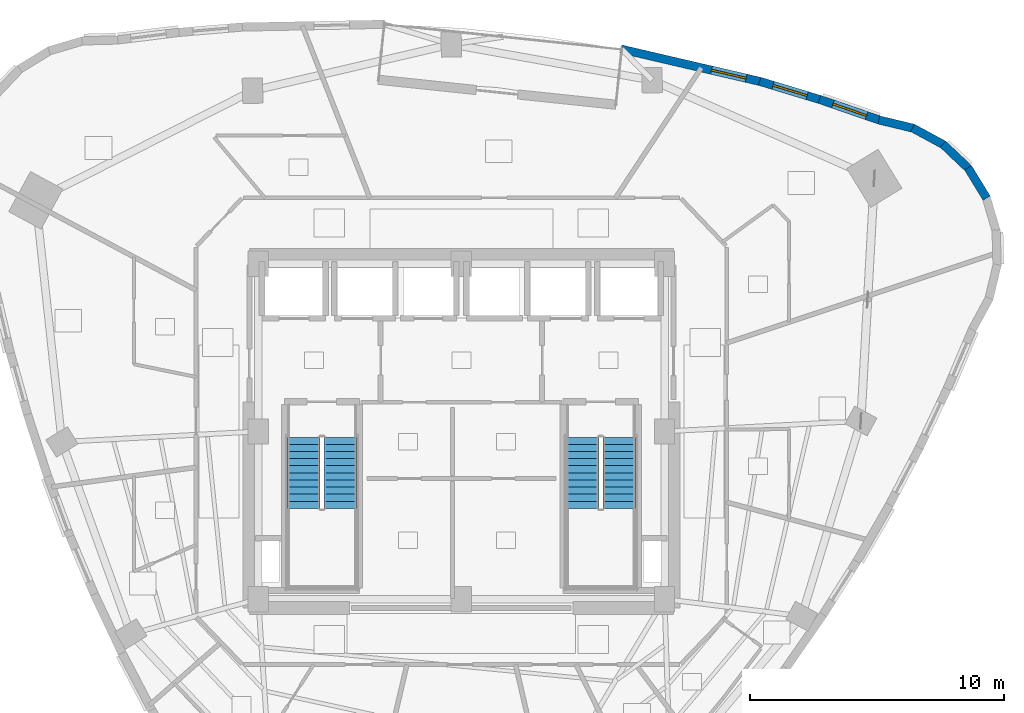
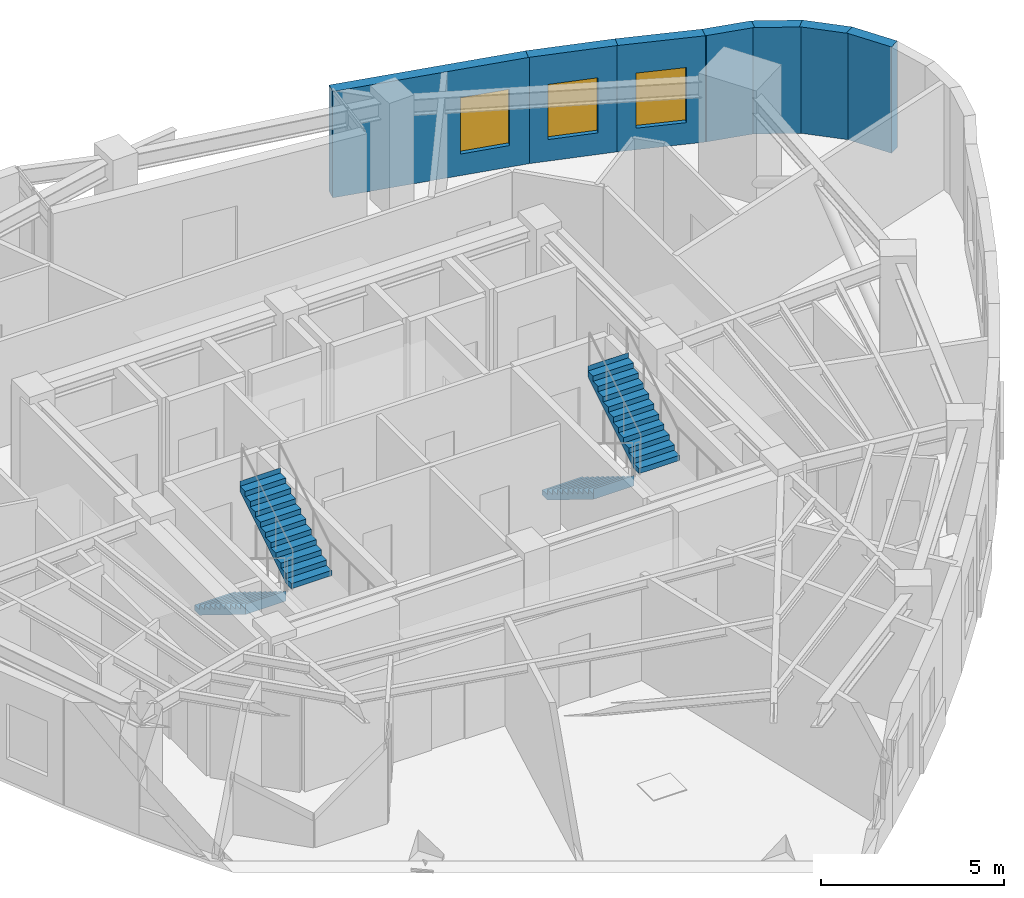
# One storey, part 9 of 12: 7 walls, 4 stair flights, 3 windows, 3 openings, 2 elements without a shape of their own.
"""IFC4 building model written with IfcOpenShell, lengths in metres."""

from ifc_helpers import new_model, si_unit, direction, frame, frame_2d, origin, place, context, subcontext, project, spatial, polyline, rectangle, outline, extrude, material, layer, layer_set, type_object, element, fill, aggregate, save


model = new_model("IFC4")

# Units and contexts
model_context = context("Model", 3, precision=1e-05, world=origin(), true_north=direction((0.0, 1.0)))
body_context = subcontext(model_context, "Body", "Model", "MODEL_VIEW")
ifc_project = project(units=[si_unit("LENGTHUNIT", "METRE"), si_unit("AREAUNIT", "SQUARE_METRE"), si_unit("VOLUMEUNIT", "CUBIC_METRE"), si_unit("PLANEANGLEUNIT", "RADIAN"), si_unit("MASSUNIT", "GRAM", prefix="KILO")], contexts=[model_context])

# Site, building, storey
site_placement = place(None, origin())
site = spatial("IfcSite", under=ifc_project, at=site_placement, CompositionType="ELEMENT")
building_placement = place(site_placement, origin())
building = spatial("IfcBuilding", under=site, at=building_placement, Name="Ndelora Gate Hotel", CompositionType="ELEMENT")
storey_placement = place(building_placement, frame((0.0, 0.0, 190.35009765625)))
storey = spatial("IfcBuildingStorey", under=building, at=storey_placement, Name="L47", CompositionType="ELEMENT", Elevation=190.35009765625)

# Walls
ifc_material_1 = material(Name="Clay Brick Masonry", Category="masonry")
ifc_layer = layer(ifc_material_1, 0.330078125)
ifc_layer_set = layer_set([ifc_layer], Name="Clay Brick Masonry")
wall_type = type_object("IfcWallType", Name="WL-BRICK-330", PredefinedType="SOLIDWALL", material=ifc_layer_set)
for number, where, z_axis, x_axis, name in (
    (1, (19.94970703125, 10.382568359375, 0.0), (0.0, 0.0, 1.0), (0.522509174355, -0.852633662668, 0.0), "L47 Tower Brick Pier-and-Spandrel Wall TWR-45"),
    (2, (18.9599609375, 11.312744140625, 0.0), (0.0, 0.0, 1.0), (0.725341527104, -0.688389184298, 0.0), "L47 Tower Brick Pier-and-Spandrel Wall TWR-46"),
):
    element("IfcWall", number, at=place(storey_placement, frame(where, z_axis=z_axis, x_axis=x_axis)), inside=storey, type_object=wall_type, Name=name, PredefinedType="SOLIDWALL", context=body_context, shape_type="SweptSolid", body=[
        extrude(rectangle(XDim=1.4072265625, YDim=0.330078125, at=frame_2d((0.70361328125, 0.0))), origin(), (0.0, 0.0, 1.0), 3.5498046875),
    ])
wall_1_placement = place(storey_placement, frame((17.762939453125, 11.955078125, 0.0), z_axis=(0.0, 0.0, 1.0), x_axis=(0.8789012206, -0.47700382014, 0.0)))
element("IfcWall", 3, at=wall_1_placement, inside=storey, type_object=wall_type, Name="L47 Tower Brick Pier-and-Spandrel Wall TWR-47", PredefinedType="SOLIDWALL", context=body_context, shape_type="SweptSolid", body=[
    extrude(rectangle(XDim=1.407470703125, YDim=0.330078125, at=frame_2d((0.70361328125, 0.0))), origin(), (0.0, 0.0, 1.0), 3.5498046875),
])
wall_2_placement = place(storey_placement, frame((16.44091796875, 12.26611328125, 0.0), z_axis=(0.0, 0.0, 1.0), x_axis=(0.972355799013, -0.23350417582, 0.0)))
element("IfcWall", 4, at=wall_2_placement, inside=storey, type_object=wall_type, Name="L47 Tower Brick Pier-and-Spandrel Wall TWR-48", PredefinedType="SOLIDWALL", context=body_context, shape_type="SweptSolid", body=[
    extrude(rectangle(XDim=1.4072265625, YDim=0.330078125, at=frame_2d((0.70361328125, 0.0))), origin(), (0.0, 0.0, 1.0), 3.5498046875),
])

# Wall, opening, window
wall_3_placement = place(storey_placement, frame((14.09814453125, 13.0771484375, 0.0), z_axis=(0.0, 0.0, 1.0), x_axis=(0.945270347183, -0.326288171311, 0.0)))
wall_3 = element("IfcWall", 5, at=wall_3_placement, inside=storey, type_object=wall_type, Name="L47 Tower Brick Pier-and-Spandrel Wall TWR-49", PredefinedType="SOLIDWALL", context=body_context, shape_type="SweptSolid", body=[
    extrude(rectangle(XDim=2.529052734375, YDim=0.330078125, at=frame_2d((1.2646484375, 0.0))), origin(), (0.0, 0.0, 1.0), 3.5498046875),
])
opening_1_placement = place(wall_3_placement, frame((0.564453125, 0.0, 0.719970703125)))
opening_1 = element("IfcOpeningElement", 6, at=opening_1_placement, cuts=wall_3, Name="Opening W02", PredefinedType="OPENING", context=body_context, shape_type="SweptSolid", body=[
    extrude(rectangle(XDim=1.39990234375, YDim=1.840087890625, at=frame_2d((0.699951171875, 0.919921875))), frame((0.0, 0.175048828125, 0.0), z_axis=(0.0, -1.0, 0.0), x_axis=(1.0, 0.0, 0.0)), (0.0, 0.0, 1.0), 0.35009765625),
])
ifc_material_2 = material(Name="Insulated Low-E Double Glazing in Bronze Aluminium Frame", Category="aluminium")
window_type = type_object("IfcWindowType", Name="WN-DEEP-1400", PartitioningType="SINGLE_PANEL", PredefinedType="WINDOW", material=ifc_material_2)
window_1_placement = place(opening_1_placement, origin())
window_1 = element("IfcWindow", 7, at=window_1_placement, inside=storey, type_object=window_type, Name="L47 Deep-Set Brick-Pier Window W02", OverallHeight=1.840087890625, OverallWidth=1.39990234375, PartitioningType="SINGLE_PANEL", PredefinedType="WINDOW", context=body_context, shape_type="SweptSolid", body=[
    extrude(rectangle(XDim=1.39990234375, YDim=1.840087890625, at=frame_2d((0.699951171875, 0.919921875))), frame((0.0, 0.030029296875, 0.0), z_axis=(0.0, -1.0, 0.0), x_axis=(1.0, 0.0, 0.0)), (0.0, 0.0, 1.0), 0.06005859375),
])
fill(opening_1, window_1)

wall_4_placement = place(storey_placement, frame((11.744384765625, 13.7880859375, 0.0), z_axis=(0.0, 0.0, 1.0), x_axis=(0.957175686943, -0.289507693031, 0.0)))
wall_4 = element("IfcWall", 8, at=wall_4_placement, inside=storey, type_object=wall_type, Name="L47 Tower Brick Pier-and-Spandrel Wall TWR-50", PredefinedType="SOLIDWALL", context=body_context, shape_type="SweptSolid", body=[
    extrude(rectangle(XDim=2.5087890625, YDim=0.330078125, at=frame_2d((1.25439453125, 0.0))), origin(), (0.0, 0.0, 1.0), 3.5498046875),
])
opening_2_placement = place(wall_4_placement, frame((0.554443359375, 0.0, 0.719970703125)))
opening_2 = element("IfcOpeningElement", 9, at=opening_2_placement, cuts=wall_4, Name="Opening W02", PredefinedType="OPENING", context=body_context, shape_type="SweptSolid", body=[
    extrude(rectangle(XDim=1.39990234375, YDim=1.840087890625, at=frame_2d((0.699951171875, 0.919921875))), frame((0.0, 0.175048828125, 0.0), z_axis=(0.0, -1.0, 0.0), x_axis=(1.0, 0.0, 0.0)), (0.0, 0.0, 1.0), 0.35009765625),
])
window_2_placement = place(opening_2_placement, origin())
window_2 = element("IfcWindow", 10, at=window_2_placement, inside=storey, type_object=window_type, Name="L47 Deep-Set Brick-Pier Window W02", OverallHeight=1.840087890625, OverallWidth=1.39990234375, PartitioningType="SINGLE_PANEL", PredefinedType="WINDOW", context=body_context, shape_type="SweptSolid", body=[
    extrude(rectangle(XDim=1.39990234375, YDim=1.840087890625, at=frame_2d((0.699951171875, 0.919921875))), frame((0.0, 0.030029296875, 0.0), z_axis=(0.0, -1.0, 0.0), x_axis=(1.0, 0.0, 0.0)), (0.0, 0.0, 1.0), 0.06005859375),
])
fill(opening_2, window_2)

wall_5_placement = place(storey_placement, frame((6.28369140625, 15.05859375, 0.0), z_axis=(0.0, 0.0, 1.0), x_axis=(0.973919150731, -0.226895323527, 0.0)))
wall_5 = element("IfcWall", 11, at=wall_5_placement, inside=storey, type_object=wall_type, Name="L47 Tower Brick Pier-and-Spandrel Wall TWR-51", PredefinedType="SOLIDWALL", context=body_context, shape_type="SweptSolid", body=[
    extrude(rectangle(XDim=5.656494140625, YDim=0.330078125, at=frame_2d((2.828125, 0.0))), origin(), (0.0, 0.0, 1.0), 3.5498046875),
])
opening_3_placement = place(wall_5_placement, frame((3.659912109375, 0.0, 0.719970703125)))
opening_3 = element("IfcOpeningElement", 12, at=opening_3_placement, cuts=wall_5, Name="Opening W02", PredefinedType="OPENING", context=body_context, shape_type="SweptSolid", body=[
    extrude(rectangle(XDim=1.39990234375, YDim=1.8798828125, at=frame_2d((0.699951171875, 0.93994140625))), frame((0.0, 0.175048828125, 0.0), z_axis=(0.0, -1.0, 0.0), x_axis=(1.0, 0.0, 0.0)), (0.0, 0.0, 1.0), 0.35009765625),
])
window_3_placement = place(opening_3_placement, origin())
window_3 = element("IfcWindow", 13, at=window_3_placement, inside=storey, type_object=window_type, Name="L47 Deep-Set Brick-Pier Window W02", OverallHeight=1.8798828125, OverallWidth=1.39990234375, PartitioningType="SINGLE_PANEL", PredefinedType="WINDOW", context=body_context, shape_type="SweptSolid", body=[
    extrude(rectangle(XDim=1.39990234375, YDim=1.8798828125, at=frame_2d((0.699951171875, 0.93994140625))), frame((0.0, 0.030029296875, 0.0), z_axis=(0.0, -1.0, 0.0), x_axis=(1.0, 0.0, 0.0)), (0.0, 0.0, 1.0), 0.06005859375),
])
fill(opening_3, window_3)

# Stair, stair flights
ifc_material_3 = material(Name="Precast concrete C40/50", Category="concrete")
stair_type = type_object("IfcStairType", Name="STR-DOG-CORE", PredefinedType="HALF_TURN_STAIR", material=ifc_material_3)
stair_1_placement = place(storey_placement, origin())
stair_1 = element("IfcStair", 14, at=stair_1_placement, inside=storey, type_object=stair_type, Name="L47 Protected Core Exit Stair ST4", PredefinedType="HALF_TURN_STAIR")
stair_flight_type = type_object("IfcStairFlightType", Name="STF-PRECAST", PredefinedType="STRAIGHT", material=ifc_material_3)
stair_flight_1_placement = place(storey_placement, frame((-6.2099609375, -0.22998046875, 0.0), z_axis=(0.0, 0.0, 1.0), x_axis=(0.0, -1.0, 0.0)))
stair_flight_1 = element("IfcStairFlight", 15, at=stair_flight_1_placement, type_object=stair_flight_type, Name="ST4 flight 1", NumberOfRisers=11, NumberOfTreads=10, PredefinedType="STRAIGHT", RiserHeight=0.172727273, TreadLength=0.28, context=body_context, shape_type="SweptSolid", body=[
    extrude(outline(polyline([(-0.00048828125, 0.0), (-0.00048828125, 0.172607421875), (0.0, 0.172607421875), (0.280029296875, 0.172607421875), (0.280029296875, 0.345458984375), (0.56005859375, 0.345458984375), (0.56005859375, 0.51806640625), (0.840087890625, 0.51806640625), (0.840087890625, 0.69091796875), (1.1201171875, 0.69091796875), (1.1201171875, 0.863525390625), (1.39990234375, 0.863525390625), (1.39990234375, 1.036376953125), (1.679931640625, 1.036376953125), (1.679931640625, 1.208984375), (1.9599609375, 1.208984375), (1.9599609375, 1.3818359375), (2.239990234375, 1.3818359375), (2.239990234375, 1.554443359375), (2.52001953125, 1.554443359375), (2.52001953125, 1.727294921875), (2.800048828125, 1.727294921875), (2.800048828125, 1.89990234375), (2.800537109375, 1.89990234375), (2.800537109375, 1.719970703125), (2.800048828125, 1.551025390625), (0.285400390625, 0.0), (-0.00048828125, 0.0)])), frame((0.0, 0.64013671875, 0.0), z_axis=(0.0, -1.0, 0.0), x_axis=(1.0, 0.0, 0.0)), (0.0, 0.0, 1.0), 1.280029296875),
])
stair_flight_2_placement = place(storey_placement, frame((-4.77001953125, -3.030029296875, 1.89990234375), z_axis=(0.0, 0.0, 1.0), x_axis=(0.0, 1.0, 0.0)))
stair_flight_2 = element("IfcStairFlight", 16, at=stair_flight_2_placement, type_object=stair_flight_type, Name="ST4 flight 2", NumberOfRisers=11, NumberOfTreads=10, PredefinedType="STRAIGHT", RiserHeight=0.172727273, TreadLength=0.28, context=body_context, shape_type="SweptSolid", body=[
    extrude(outline(polyline([(-0.00048828125, 0.0), (-0.00048828125, 0.172607421875), (0.0, 0.172607421875), (0.280029296875, 0.172607421875), (0.280029296875, 0.345458984375), (0.56005859375, 0.345458984375), (0.56005859375, 0.51806640625), (0.840087890625, 0.51806640625), (0.840087890625, 0.69091796875), (1.1201171875, 0.69091796875), (1.1201171875, 0.863525390625), (1.39990234375, 0.863525390625), (1.39990234375, 1.036376953125), (1.679931640625, 1.036376953125), (1.679931640625, 1.208984375), (1.9599609375, 1.208984375), (1.9599609375, 1.3818359375), (2.239990234375, 1.3818359375), (2.239990234375, 1.554443359375), (2.52001953125, 1.554443359375), (2.52001953125, 1.727294921875), (2.800048828125, 1.727294921875), (2.800048828125, 1.89990234375), (2.800537109375, 1.89990234375), (2.800537109375, 1.719970703125), (2.800048828125, 1.551025390625), (0.285400390625, 0.0), (-0.00048828125, 0.0)])), frame((0.0, 0.64013671875, 0.0), z_axis=(0.0, -1.0, 0.0), x_axis=(1.0, 0.0, 0.0)), (0.0, 0.0, 1.0), 1.280029296875),
])
aggregate(stair_1, [stair_flight_1, stair_flight_2])

stair_2_placement = place(storey_placement, origin())
stair_2 = element("IfcStair", 17, at=stair_2_placement, inside=storey, type_object=stair_type, Name="L47 Protected Core Exit Stair ST5", PredefinedType="HALF_TURN_STAIR")
stair_flight_3_placement = place(storey_placement, frame((4.77001953125, -0.22998046875, 0.0), z_axis=(0.0, 0.0, 1.0), x_axis=(0.0, -1.0, 0.0)))
stair_flight_3 = element("IfcStairFlight", 18, at=stair_flight_3_placement, type_object=stair_flight_type, Name="ST5 flight 1", NumberOfRisers=11, NumberOfTreads=10, PredefinedType="STRAIGHT", RiserHeight=0.172727273, TreadLength=0.28, context=body_context, shape_type="SweptSolid", body=[
    extrude(outline(polyline([(-0.00048828125, 0.0), (-0.00048828125, 0.172607421875), (0.0, 0.172607421875), (0.280029296875, 0.172607421875), (0.280029296875, 0.345458984375), (0.56005859375, 0.345458984375), (0.56005859375, 0.51806640625), (0.840087890625, 0.51806640625), (0.840087890625, 0.69091796875), (1.1201171875, 0.69091796875), (1.1201171875, 0.863525390625), (1.39990234375, 0.863525390625), (1.39990234375, 1.036376953125), (1.679931640625, 1.036376953125), (1.679931640625, 1.208984375), (1.9599609375, 1.208984375), (1.9599609375, 1.3818359375), (2.239990234375, 1.3818359375), (2.239990234375, 1.554443359375), (2.52001953125, 1.554443359375), (2.52001953125, 1.727294921875), (2.800048828125, 1.727294921875), (2.800048828125, 1.89990234375), (2.800537109375, 1.89990234375), (2.800537109375, 1.719970703125), (2.800048828125, 1.551025390625), (0.285400390625, 0.0), (-0.00048828125, 0.0)])), frame((0.0, 0.64013671875, 0.0), z_axis=(0.0, -1.0, 0.0), x_axis=(1.0, 0.0, 0.0)), (0.0, 0.0, 1.0), 1.280029296875),
])
stair_flight_4_placement = place(storey_placement, frame((6.2099609375, -3.030029296875, 1.89990234375), z_axis=(0.0, 0.0, 1.0), x_axis=(0.0, 1.0, 0.0)))
stair_flight_4 = element("IfcStairFlight", 19, at=stair_flight_4_placement, type_object=stair_flight_type, Name="ST5 flight 2", NumberOfRisers=11, NumberOfTreads=10, PredefinedType="STRAIGHT", RiserHeight=0.172727273, TreadLength=0.28, context=body_context, shape_type="SweptSolid", body=[
    extrude(outline(polyline([(-0.00048828125, 0.0), (-0.00048828125, 0.172607421875), (0.0, 0.172607421875), (0.280029296875, 0.172607421875), (0.280029296875, 0.345458984375), (0.56005859375, 0.345458984375), (0.56005859375, 0.51806640625), (0.840087890625, 0.51806640625), (0.840087890625, 0.69091796875), (1.1201171875, 0.69091796875), (1.1201171875, 0.863525390625), (1.39990234375, 0.863525390625), (1.39990234375, 1.036376953125), (1.679931640625, 1.036376953125), (1.679931640625, 1.208984375), (1.9599609375, 1.208984375), (1.9599609375, 1.3818359375), (2.239990234375, 1.3818359375), (2.239990234375, 1.554443359375), (2.52001953125, 1.554443359375), (2.52001953125, 1.727294921875), (2.800048828125, 1.727294921875), (2.800048828125, 1.89990234375), (2.800537109375, 1.89990234375), (2.800537109375, 1.719970703125), (2.800048828125, 1.551025390625), (0.285400390625, 0.0), (-0.00048828125, 0.0)])), frame((0.0, 0.64013671875, 0.0), z_axis=(0.0, -1.0, 0.0), x_axis=(1.0, 0.0, 0.0)), (0.0, 0.0, 1.0), 1.280029296875),
])
aggregate(stair_2, [stair_flight_3, stair_flight_4])

save(model, "model.ifc")
